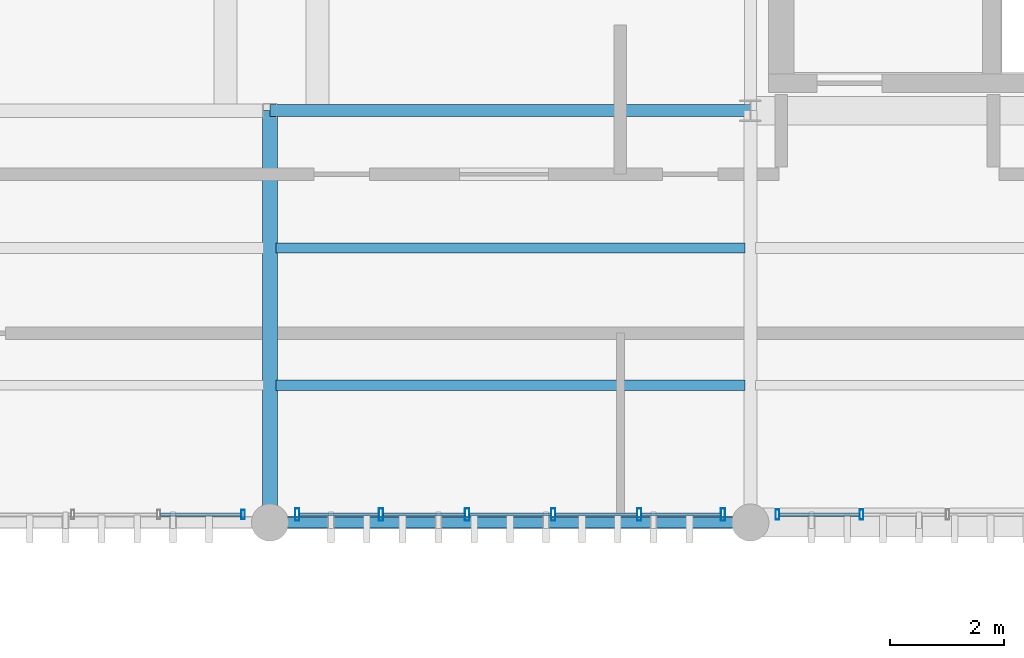
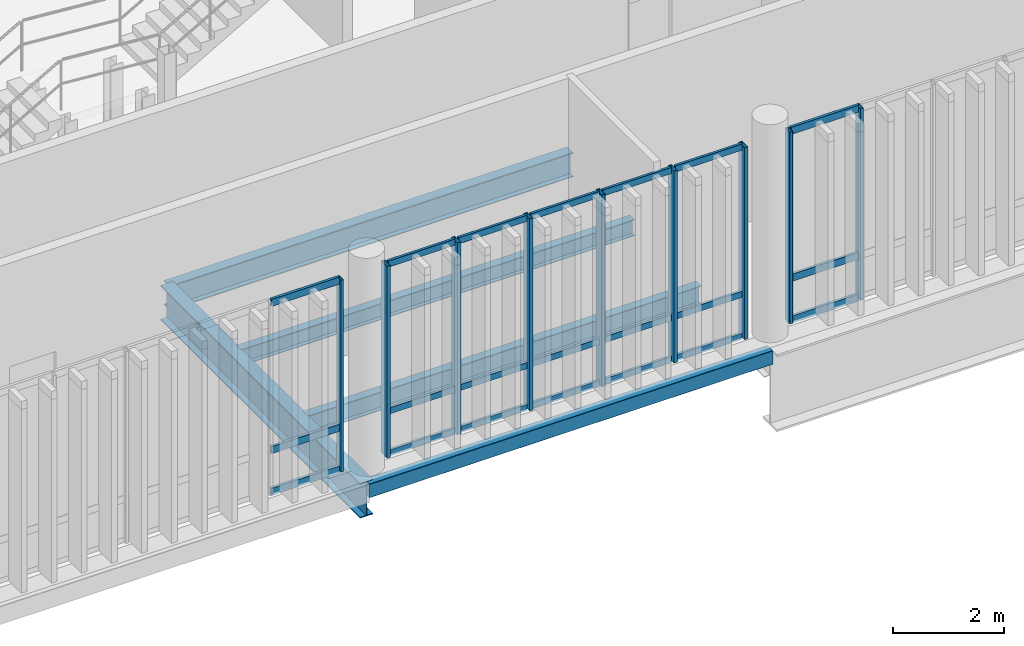
# One storey, part 29 of 86: 30 members, 5 beams, 3 elements without a shape of their own.
"""IFC4 building model written with IfcOpenShell, lengths in metres."""

from ifc_helpers import new_model, si_unit, direction, frame, origin_with_axes, origin_2d_with_axis, place, context, subcontext, project, spatial, hollow_rectangle, i_section, extrude, material, material_profile, profile_set, type_object, element, aggregate, save


model = new_model("IFC4")

# Units and contexts
model_context = context("Model", 3, precision=1e-05, world=origin_with_axes(), true_north=direction((0.0, 1.0)))
body_context = subcontext(model_context, "Body", "Model", "MODEL_VIEW")
ifc_project = project(units=[si_unit("LENGTHUNIT", "METRE"), si_unit("AREAUNIT", "SQUARE_METRE"), si_unit("VOLUMEUNIT", "CUBIC_METRE"), si_unit("PLANEANGLEUNIT", "RADIAN"), si_unit("MASSUNIT", "GRAM", prefix="KILO"), si_unit("THERMODYNAMICTEMPERATUREUNIT", "KELVIN")], contexts=[model_context])

# Site, building, storey
site_placement = place(None, origin_with_axes())
site = spatial("IfcSite", under=ifc_project, at=site_placement, CompositionType="ELEMENT")
building_placement = place(site_placement, origin_with_axes())
building = spatial("IfcBuilding", under=site, at=building_placement, Name="Montbau Bow Law Courts", CompositionType="ELEMENT")
storey_placement = place(building_placement, frame((0.0, 0.0, 29.7), z_axis=(0.0, 0.0, 1.0), x_axis=(1.0, 0.0, 0.0)))
storey = spatial("IfcBuildingStorey", under=building, at=storey_placement, Name="L06", CompositionType="ELEMENT", Elevation=29.7)

# Beams
ifc_material_1 = material(Name="Steel CSA G40.21 Grade 350W (350 MPa)", Category="steel")
ifc_material_profile_1 = material_profile(ifc_material_1, i_section(OverallWidth=0.267, OverallDepth=0.766, WebThickness=0.0149, FlangeThickness=0.0236, at=origin_2d_with_axis()), Name="W760X185", Category="Main", Priority=0)
ifc_profile_set_1 = profile_set([ifc_material_profile_1], Name="Steel CSA G40.21 Grade 350W (350 MPa)")
beam_type_1 = type_object("IfcBeamType", Name="B-FLR-03", PredefinedType="BEAM", material=ifc_profile_set_1)
beam_1_placement = place(None, frame((72.0, 39.0, 28.977), z_axis=(0.0, 1.0, 0.0), x_axis=(-1.0, 0.0, 0.0)))
element("IfcBeam", 1, at=beam_1_placement, inside=storey, type_object=beam_type_1, Name="BM-L06-S1009:bm2_1012", PredefinedType="BEAM", context=body_context, shape_type="SweptSolid", body=[
    extrude(i_section(OverallWidth=0.267, OverallDepth=0.766, WebThickness=0.0149, FlangeThickness=0.0236, at=origin_2d_with_axis()), origin_with_axes(), (0.0, 0.0, 1.0), 7.2),
])
ifc_material_profile_2 = material_profile(ifc_material_1, i_section(OverallWidth=0.21, OverallDepth=0.537, WebThickness=0.0109, FlangeThickness=0.0174, at=origin_2d_with_axis()), Name="W530X101", Category="Main", Priority=0)
ifc_profile_set_2 = profile_set([ifc_material_profile_2], Name="Steel CSA G40.21 Grade 350W (350 MPa)")
beam_type_2 = type_object("IfcBeamType", Name="B-FLR-06", PredefinedType="BEAM", material=ifc_profile_set_2)
beam_2_placement = place(None, frame((72.0, 46.2, 29.091), z_axis=(1.0, 0.0, 0.0), x_axis=(0.0, 1.0, 0.0)))
element("IfcBeam", 2, at=beam_2_placement, inside=storey, type_object=beam_type_2, Name="BM-L06-S1001:bm2_1004", PredefinedType="BEAM", context=body_context, shape_type="SweptSolid", body=[
    extrude(i_section(OverallWidth=0.21, OverallDepth=0.537, WebThickness=0.0109, FlangeThickness=0.0174, at=origin_2d_with_axis()), origin_with_axes(), (0.0, 0.0, 1.0), 8.4),
])
ifc_material_profile_3 = material_profile(ifc_material_1, i_section(OverallWidth=0.179, OverallDepth=0.41, WebThickness=0.0088, FlangeThickness=0.0144, at=origin_2d_with_axis()), Name="W410X67", Category="Main", Priority=0)
ifc_profile_set_3 = profile_set([ifc_material_profile_3], Name="Steel CSA G40.21 Grade 350W (350 MPa)")
beam_type_3 = type_object("IfcBeamType", Name="B-JST-02", PredefinedType="JOIST", material=ifc_profile_set_3)
beam_3_placement = place(None, frame((72.109, 41.4, 29.155), z_axis=(1.0, 0.0, 0.0), x_axis=(0.0, 1.0, 0.0)))
element("IfcBeam", 3, at=beam_3_placement, inside=storey, type_object=beam_type_3, Name="JST-L06-S0513:jst2_0513", PredefinedType="JOIST", context=body_context, shape_type="SweptSolid", body=[
    extrude(i_section(OverallWidth=0.179, OverallDepth=0.41, WebThickness=0.0088, FlangeThickness=0.0144, at=origin_2d_with_axis()), origin_with_axes(), (0.0, 0.0, 1.0), 8.2),
])
ifc_material_profile_4 = material_profile(ifc_material_1, i_section(OverallWidth=0.172, OverallDepth=0.358, WebThickness=0.0079, FlangeThickness=0.0131, at=origin_2d_with_axis()), Name="W360X57", Category="Main", Priority=0)
ifc_profile_set_4 = profile_set([ifc_material_profile_4], Name="Steel CSA G40.21 Grade 350W (350 MPa)")
beam_type_4 = type_object("IfcBeamType", Name="B-JST-03", PredefinedType="JOIST", material=ifc_profile_set_4)
beam_4_placement = place(None, frame((72.109, 43.8, 29.181), z_axis=(1.0, 0.0, 0.0), x_axis=(0.0, 1.0, 0.0)))
element("IfcBeam", 4, at=beam_4_placement, inside=storey, type_object=beam_type_4, Name="JST-L06-S0514:jst2_0514", PredefinedType="JOIST", context=body_context, shape_type="SweptSolid", body=[
    extrude(i_section(OverallWidth=0.172, OverallDepth=0.358, WebThickness=0.0079, FlangeThickness=0.0131, at=origin_2d_with_axis()), origin_with_axes(), (0.0, 0.0, 1.0), 8.2),
])
ifc_material_2 = material(Name="Steel CSA G40.21 Grade 350WT (350 MPa)", Category="steel")
ifc_material_profile_5 = material_profile(ifc_material_2, hollow_rectangle(XDim=0.203, YDim=0.305, WallThickness=0.0127, InnerFilletRadius=0.0254, OuterFilletRadius=0.0127, at=origin_2d_with_axis()), Name="HSS305X203X13", Category="Main", Priority=0)
ifc_profile_set_5 = profile_set([ifc_material_profile_5], Name="Steel CSA G40.21 Grade 350WT (350 MPa)")
beam_type_5 = type_object("IfcBeamType", Name="B-SPN-02", PredefinedType="SPANDREL", material=ifc_profile_set_5)
beam_5_placement = place(None, frame((72.0, 39.0, 29.207), z_axis=(1.0, 0.0, 0.0), x_axis=(0.0, 1.0, 0.0)))
element("IfcBeam", 5, at=beam_5_placement, inside=storey, type_object=beam_type_5, Name="SPN-L06-S0998:bm2_1001", PredefinedType="SPANDREL", context=body_context, shape_type="SweptSolid", body=[
    extrude(hollow_rectangle(XDim=0.203, YDim=0.305, WallThickness=0.0127, InnerFilletRadius=0.0254, OuterFilletRadius=0.0127, at=origin_2d_with_axis()), origin_with_axes(), (0.0, 0.0, 1.0), 8.4),
])

# Curtain wall, members
ifc_material_3 = material(Name="Thermally Broken Extruded Aluminium AA 6063-T6", Category="aluminium")
curtain_wall_type = type_object("IfcCurtainWallType", Name="CW-CRM-02", PredefinedType="NOTDEFINED", material=ifc_material_3)
curtain_wall_1_placement = place(None, frame((72.44, 39.14, 29.7), z_axis=(0.0, 0.0, 1.0), x_axis=(1.0, 0.0, 0.0)))
curtain_wall_1 = element("IfcCurtainWall", 6, at=curtain_wall_1_placement, inside=storey, type_object=curtain_wall_type, Name="CW-L06-225:cw_0225", PredefinedType="NOTDEFINED")
ifc_material_profile_6 = material_profile(ifc_material_3, hollow_rectangle(XDim=0.075, YDim=0.22, WallThickness=0.005, InnerFilletRadius=0.01, OuterFilletRadius=0.005, at=origin_2d_with_axis()), Name="CWM-220X75", Category="Main", Priority=0)
ifc_profile_set_6 = profile_set([ifc_material_profile_6], Name="Thermally Broken Extruded Aluminium AA 6063-T6")
member_type_1 = type_object("IfcMemberType", Name="M-MUL-01", PredefinedType="MULLION", material=ifc_profile_set_6)
member_1_placement = place(None, frame((72.477, 39.14, 29.7), z_axis=(0.0, 0.0, 1.0), x_axis=(1.0, 0.0, 0.0)))
member_1 = element("IfcMember", 7, at=member_1_placement, type_object=member_type_1, Name="CW-L06-225-M01:cw_0225_M01", PredefinedType="MULLION", context=body_context, shape_type="SweptSolid", body=[
    extrude(hollow_rectangle(XDim=0.075, YDim=0.22, WallThickness=0.005, InnerFilletRadius=0.01, OuterFilletRadius=0.005, at=origin_2d_with_axis()), origin_with_axes(), (0.0, 0.0, 1.0), 4.22),
])
member_2_placement = place(None, frame((73.944, 39.14, 29.7), z_axis=(0.0, 0.0, 1.0), x_axis=(1.0, 0.0, 0.0)))
member_2 = element("IfcMember", 8, at=member_2_placement, type_object=member_type_1, Name="CW-L06-225-M02:cw_0225_M02", PredefinedType="MULLION", context=body_context, shape_type="SweptSolid", body=[
    extrude(hollow_rectangle(XDim=0.075, YDim=0.22, WallThickness=0.005, InnerFilletRadius=0.01, OuterFilletRadius=0.005, at=origin_2d_with_axis()), origin_with_axes(), (0.0, 0.0, 1.0), 4.22),
])
member_3_placement = place(None, frame((75.448, 39.14, 29.7), z_axis=(0.0, 0.0, 1.0), x_axis=(1.0, 0.0, 0.0)))
member_3 = element("IfcMember", 9, at=member_3_placement, type_object=member_type_1, Name="CW-L06-225-M03:cw_0225_M03", PredefinedType="MULLION", context=body_context, shape_type="SweptSolid", body=[
    extrude(hollow_rectangle(XDim=0.075, YDim=0.22, WallThickness=0.005, InnerFilletRadius=0.01, OuterFilletRadius=0.005, at=origin_2d_with_axis()), origin_with_axes(), (0.0, 0.0, 1.0), 4.22),
])
member_4_placement = place(None, frame((76.952, 39.14, 29.7), z_axis=(0.0, 0.0, 1.0), x_axis=(1.0, 0.0, 0.0)))
member_4 = element("IfcMember", 10, at=member_4_placement, type_object=member_type_1, Name="CW-L06-225-M04:cw_0225_M04", PredefinedType="MULLION", context=body_context, shape_type="SweptSolid", body=[
    extrude(hollow_rectangle(XDim=0.075, YDim=0.22, WallThickness=0.005, InnerFilletRadius=0.01, OuterFilletRadius=0.005, at=origin_2d_with_axis()), origin_with_axes(), (0.0, 0.0, 1.0), 4.22),
])
member_5_placement = place(None, frame((78.456, 39.14, 29.7), z_axis=(0.0, 0.0, 1.0), x_axis=(1.0, 0.0, 0.0)))
member_5 = element("IfcMember", 11, at=member_5_placement, type_object=member_type_1, Name="CW-L06-225-M05:cw_0225_M05", PredefinedType="MULLION", context=body_context, shape_type="SweptSolid", body=[
    extrude(hollow_rectangle(XDim=0.075, YDim=0.22, WallThickness=0.005, InnerFilletRadius=0.01, OuterFilletRadius=0.005, at=origin_2d_with_axis()), origin_with_axes(), (0.0, 0.0, 1.0), 4.22),
])
member_6_placement = place(None, frame((79.922, 39.14, 29.7), z_axis=(0.0, 0.0, 1.0), x_axis=(1.0, 0.0, 0.0)))
member_6 = element("IfcMember", 12, at=member_6_placement, type_object=member_type_1, Name="CW-L06-225-M06:cw_0225_M06", PredefinedType="MULLION", context=body_context, shape_type="SweptSolid", body=[
    extrude(hollow_rectangle(XDim=0.075, YDim=0.22, WallThickness=0.005, InnerFilletRadius=0.01, OuterFilletRadius=0.005, at=origin_2d_with_axis()), origin_with_axes(), (0.0, 0.0, 1.0), 4.22),
])

curtain_wall_2_placement = place(None, frame((80.84, 39.14, 29.7), z_axis=(0.0, 0.0, 1.0), x_axis=(1.0, 0.0, 0.0)))
curtain_wall_2 = element("IfcCurtainWall", 13, at=curtain_wall_2_placement, inside=storey, type_object=curtain_wall_type, Name="CW-L06-226:cw_0226", PredefinedType="NOTDEFINED")
ifc_material_profile_7 = material_profile(ifc_material_3, hollow_rectangle(XDim=0.065, YDim=0.18, WallThickness=0.005, InnerFilletRadius=0.01, OuterFilletRadius=0.005, at=origin_2d_with_axis()), Name="CWM-180X65", Category="Main", Priority=0)
ifc_profile_set_7 = profile_set([ifc_material_profile_7], Name="Thermally Broken Extruded Aluminium AA 6063-T6")
member_type_2 = type_object("IfcMemberType", Name="M-MUL-02", PredefinedType="MULLION", material=ifc_profile_set_7)
member_7_placement = place(None, frame((80.873, 39.14, 29.7), z_axis=(0.0, 0.0, 1.0), x_axis=(1.0, 0.0, 0.0)))
member_7 = element("IfcMember", 14, at=member_7_placement, type_object=member_type_2, Name="CW-L06-226-M01:cw_0226_M01", PredefinedType="MULLION", context=body_context, shape_type="SweptSolid", body=[
    extrude(hollow_rectangle(XDim=0.065, YDim=0.18, WallThickness=0.005, InnerFilletRadius=0.01, OuterFilletRadius=0.005, at=origin_2d_with_axis()), origin_with_axes(), (0.0, 0.0, 1.0), 4.22),
])
member_8_placement = place(None, frame((82.344, 39.14, 29.7), z_axis=(0.0, 0.0, 1.0), x_axis=(1.0, 0.0, 0.0)))
member_8 = element("IfcMember", 15, at=member_8_placement, type_object=member_type_2, Name="CW-L06-226-M02:cw_0226_M02", PredefinedType="MULLION", context=body_context, shape_type="SweptSolid", body=[
    extrude(hollow_rectangle(XDim=0.065, YDim=0.18, WallThickness=0.005, InnerFilletRadius=0.01, OuterFilletRadius=0.005, at=origin_2d_with_axis()), origin_with_axes(), (0.0, 0.0, 1.0), 4.22),
])

curtain_wall_3_placement = place(None, frame((64.04, 39.14, 29.7), z_axis=(0.0, 0.0, 1.0), x_axis=(1.0, 0.0, 0.0)))
curtain_wall_3 = element("IfcCurtainWall", 16, at=curtain_wall_3_placement, inside=storey, type_object=curtain_wall_type, Name="CW-L06-224:cw_0224", PredefinedType="NOTDEFINED")
ifc_material_profile_8 = material_profile(ifc_material_3, hollow_rectangle(XDim=0.06, YDim=0.16, WallThickness=0.004, InnerFilletRadius=0.008, OuterFilletRadius=0.004, at=origin_2d_with_axis()), Name="CWM-160X60", Category="Main", Priority=0)
ifc_profile_set_8 = profile_set([ifc_material_profile_8], Name="Thermally Broken Extruded Aluminium AA 6063-T6")
member_type_3 = type_object("IfcMemberType", Name="M-MUL-03", PredefinedType="MULLION", material=ifc_profile_set_8)
member_9_placement = place(None, frame((71.53, 39.14, 29.7), z_axis=(0.0, 0.0, 1.0), x_axis=(1.0, 0.0, 0.0)))
member_9 = element("IfcMember", 17, at=member_9_placement, type_object=member_type_3, Name="CW-L06-224-M06:cw_0224_M06", PredefinedType="MULLION", context=body_context, shape_type="SweptSolid", body=[
    extrude(hollow_rectangle(XDim=0.06, YDim=0.16, WallThickness=0.004, InnerFilletRadius=0.008, OuterFilletRadius=0.004, at=origin_2d_with_axis()), origin_with_axes(), (0.0, 0.0, 1.0), 4.22),
])
ifc_material_profile_9 = material_profile(ifc_material_3, hollow_rectangle(XDim=0.06, YDim=0.16, WallThickness=0.004, InnerFilletRadius=0.008, OuterFilletRadius=0.004, at=origin_2d_with_axis()), Name="CWT-160X60", Category="Main", Priority=0)
ifc_profile_set_9 = profile_set([ifc_material_profile_9], Name="Thermally Broken Extruded Aluminium AA 6063-T6")
member_type_4 = type_object("IfcMemberType", Name="M-TRN-01", PredefinedType="USERDEFINED", material=ifc_profile_set_9)
member_10_placement = place(None, frame((70.088, 39.14, 29.73), z_axis=(1.0, 0.0, 0.0), x_axis=(0.0, 1.0, 0.0)))
member_10 = element("IfcMember", 18, at=member_10_placement, type_object=member_type_4, Name="CW-L06-224-T05-1:cw_0224_T05_1", ObjectType="TRANSOM", PredefinedType="USERDEFINED", context=body_context, shape_type="SweptSolid", body=[
    extrude(hollow_rectangle(XDim=0.06, YDim=0.16, WallThickness=0.004, InnerFilletRadius=0.008, OuterFilletRadius=0.004, at=origin_2d_with_axis()), origin_with_axes(), (0.0, 0.0, 1.0), 1.41),
])
member_11_placement = place(None, frame((70.088, 39.14, 30.65), z_axis=(1.0, 0.0, 0.0), x_axis=(0.0, 1.0, 0.0)))
member_11 = element("IfcMember", 19, at=member_11_placement, type_object=member_type_4, Name="CW-L06-224-T05-2:cw_0224_T05_2", ObjectType="TRANSOM", PredefinedType="USERDEFINED", context=body_context, shape_type="SweptSolid", body=[
    extrude(hollow_rectangle(XDim=0.06, YDim=0.16, WallThickness=0.004, InnerFilletRadius=0.008, OuterFilletRadius=0.004, at=origin_2d_with_axis()), origin_with_axes(), (0.0, 0.0, 1.0), 1.41),
])
member_12_placement = place(None, frame((70.088, 39.14, 33.89), z_axis=(1.0, 0.0, 0.0), x_axis=(0.0, 1.0, 0.0)))
member_12 = element("IfcMember", 20, at=member_12_placement, type_object=member_type_4, Name="CW-L06-224-T05-3:cw_0224_T05_3", ObjectType="TRANSOM", PredefinedType="USERDEFINED", context=body_context, shape_type="SweptSolid", body=[
    extrude(hollow_rectangle(XDim=0.06, YDim=0.16, WallThickness=0.004, InnerFilletRadius=0.008, OuterFilletRadius=0.004, at=origin_2d_with_axis()), origin_with_axes(), (0.0, 0.0, 1.0), 1.41),
])
aggregate(curtain_wall_3, [member_9, member_10, member_11, member_12])

# Member
member_13_placement = place(None, frame((80.908, 39.14, 29.73), z_axis=(1.0, 0.0, 0.0), x_axis=(0.0, 1.0, 0.0)))
member_13 = element("IfcMember", 21, at=member_13_placement, type_object=member_type_4, Name="CW-L06-226-T01-1:cw_0226_T01_1", ObjectType="TRANSOM", PredefinedType="USERDEFINED", context=body_context, shape_type="SweptSolid", body=[
    extrude(hollow_rectangle(XDim=0.06, YDim=0.16, WallThickness=0.004, InnerFilletRadius=0.008, OuterFilletRadius=0.004, at=origin_2d_with_axis()), origin_with_axes(), (0.0, 0.0, 1.0), 1.402),
])

member_14_placement = place(None, frame((80.908, 39.14, 30.65), z_axis=(1.0, 0.0, 0.0), x_axis=(0.0, 1.0, 0.0)))
member_14 = element("IfcMember", 22, at=member_14_placement, type_object=member_type_4, Name="CW-L06-226-T01-2:cw_0226_T01_2", ObjectType="TRANSOM", PredefinedType="USERDEFINED", context=body_context, shape_type="SweptSolid", body=[
    extrude(hollow_rectangle(XDim=0.06, YDim=0.16, WallThickness=0.004, InnerFilletRadius=0.008, OuterFilletRadius=0.004, at=origin_2d_with_axis()), origin_with_axes(), (0.0, 0.0, 1.0), 1.402),
])

member_15_placement = place(None, frame((80.908, 39.14, 33.89), z_axis=(1.0, 0.0, 0.0), x_axis=(0.0, 1.0, 0.0)))
member_15 = element("IfcMember", 23, at=member_15_placement, type_object=member_type_4, Name="CW-L06-226-T01-3:cw_0226_T01_3", ObjectType="TRANSOM", PredefinedType="USERDEFINED", context=body_context, shape_type="SweptSolid", body=[
    extrude(hollow_rectangle(XDim=0.06, YDim=0.16, WallThickness=0.004, InnerFilletRadius=0.008, OuterFilletRadius=0.004, at=origin_2d_with_axis()), origin_with_axes(), (0.0, 0.0, 1.0), 1.402),
])

aggregate(curtain_wall_2, [member_7, member_8, member_13, member_14, member_15])

ifc_material_profile_10 = material_profile(ifc_material_3, hollow_rectangle(XDim=0.055, YDim=0.14, WallThickness=0.004, InnerFilletRadius=0.008, OuterFilletRadius=0.004, at=origin_2d_with_axis()), Name="CWT-140X55", Category="Main", Priority=0)
ifc_profile_set_10 = profile_set([ifc_material_profile_10], Name="Thermally Broken Extruded Aluminium AA 6063-T6")
member_type_5 = type_object("IfcMemberType", Name="M-TRN-02", PredefinedType="USERDEFINED", material=ifc_profile_set_10)
member_16_placement = place(None, frame((72.516, 39.14, 29.727), z_axis=(1.0, 0.0, 0.0), x_axis=(0.0, 1.0, 0.0)))
member_16 = element("IfcMember", 24, at=member_16_placement, type_object=member_type_5, Name="CW-L06-225-T01-1:cw_0225_T01_1", ObjectType="TRANSOM", PredefinedType="USERDEFINED", context=body_context, shape_type="SweptSolid", body=[
    extrude(hollow_rectangle(XDim=0.055, YDim=0.14, WallThickness=0.004, InnerFilletRadius=0.008, OuterFilletRadius=0.004, at=origin_2d_with_axis()), origin_with_axes(), (0.0, 0.0, 1.0), 1.388),
])

member_17_placement = place(None, frame((72.516, 39.14, 30.65), z_axis=(1.0, 0.0, 0.0), x_axis=(0.0, 1.0, 0.0)))
member_17 = element("IfcMember", 25, at=member_17_placement, type_object=member_type_5, Name="CW-L06-225-T01-2:cw_0225_T01_2", ObjectType="TRANSOM", PredefinedType="USERDEFINED", context=body_context, shape_type="SweptSolid", body=[
    extrude(hollow_rectangle(XDim=0.055, YDim=0.14, WallThickness=0.004, InnerFilletRadius=0.008, OuterFilletRadius=0.004, at=origin_2d_with_axis()), origin_with_axes(), (0.0, 0.0, 1.0), 1.388),
])

member_18_placement = place(None, frame((72.516, 39.14, 33.892), z_axis=(1.0, 0.0, 0.0), x_axis=(0.0, 1.0, 0.0)))
member_18 = element("IfcMember", 26, at=member_18_placement, type_object=member_type_5, Name="CW-L06-225-T01-3:cw_0225_T01_3", ObjectType="TRANSOM", PredefinedType="USERDEFINED", context=body_context, shape_type="SweptSolid", body=[
    extrude(hollow_rectangle(XDim=0.055, YDim=0.14, WallThickness=0.004, InnerFilletRadius=0.008, OuterFilletRadius=0.004, at=origin_2d_with_axis()), origin_with_axes(), (0.0, 0.0, 1.0), 1.388),
])

member_19_placement = place(None, frame((73.984, 39.14, 29.727), z_axis=(1.0, 0.0, 0.0), x_axis=(0.0, 1.0, 0.0)))
member_19 = element("IfcMember", 27, at=member_19_placement, type_object=member_type_5, Name="CW-L06-225-T02-1:cw_0225_T02_1", ObjectType="TRANSOM", PredefinedType="USERDEFINED", context=body_context, shape_type="SweptSolid", body=[
    extrude(hollow_rectangle(XDim=0.055, YDim=0.14, WallThickness=0.004, InnerFilletRadius=0.008, OuterFilletRadius=0.004, at=origin_2d_with_axis()), origin_with_axes(), (0.0, 0.0, 1.0), 1.425),
])

member_20_placement = place(None, frame((73.984, 39.14, 30.65), z_axis=(1.0, 0.0, 0.0), x_axis=(0.0, 1.0, 0.0)))
member_20 = element("IfcMember", 28, at=member_20_placement, type_object=member_type_5, Name="CW-L06-225-T02-2:cw_0225_T02_2", ObjectType="TRANSOM", PredefinedType="USERDEFINED", context=body_context, shape_type="SweptSolid", body=[
    extrude(hollow_rectangle(XDim=0.055, YDim=0.14, WallThickness=0.004, InnerFilletRadius=0.008, OuterFilletRadius=0.004, at=origin_2d_with_axis()), origin_with_axes(), (0.0, 0.0, 1.0), 1.425),
])

member_21_placement = place(None, frame((73.984, 39.14, 33.892), z_axis=(1.0, 0.0, 0.0), x_axis=(0.0, 1.0, 0.0)))
member_21 = element("IfcMember", 29, at=member_21_placement, type_object=member_type_5, Name="CW-L06-225-T02-3:cw_0225_T02_3", ObjectType="TRANSOM", PredefinedType="USERDEFINED", context=body_context, shape_type="SweptSolid", body=[
    extrude(hollow_rectangle(XDim=0.055, YDim=0.14, WallThickness=0.004, InnerFilletRadius=0.008, OuterFilletRadius=0.004, at=origin_2d_with_axis()), origin_with_axes(), (0.0, 0.0, 1.0), 1.425),
])

member_22_placement = place(None, frame((75.487, 39.14, 29.727), z_axis=(1.0, 0.0, 0.0), x_axis=(0.0, 1.0, 0.0)))
member_22 = element("IfcMember", 30, at=member_22_placement, type_object=member_type_5, Name="CW-L06-225-T03-1:cw_0225_T03_1", ObjectType="TRANSOM", PredefinedType="USERDEFINED", context=body_context, shape_type="SweptSolid", body=[
    extrude(hollow_rectangle(XDim=0.055, YDim=0.14, WallThickness=0.004, InnerFilletRadius=0.008, OuterFilletRadius=0.004, at=origin_2d_with_axis()), origin_with_axes(), (0.0, 0.0, 1.0), 1.426),
])

member_23_placement = place(None, frame((75.487, 39.14, 30.65), z_axis=(1.0, 0.0, 0.0), x_axis=(0.0, 1.0, 0.0)))
member_23 = element("IfcMember", 31, at=member_23_placement, type_object=member_type_5, Name="CW-L06-225-T03-2:cw_0225_T03_2", ObjectType="TRANSOM", PredefinedType="USERDEFINED", context=body_context, shape_type="SweptSolid", body=[
    extrude(hollow_rectangle(XDim=0.055, YDim=0.14, WallThickness=0.004, InnerFilletRadius=0.008, OuterFilletRadius=0.004, at=origin_2d_with_axis()), origin_with_axes(), (0.0, 0.0, 1.0), 1.426),
])

member_24_placement = place(None, frame((75.487, 39.14, 33.892), z_axis=(1.0, 0.0, 0.0), x_axis=(0.0, 1.0, 0.0)))
member_24 = element("IfcMember", 32, at=member_24_placement, type_object=member_type_5, Name="CW-L06-225-T03-3:cw_0225_T03_3", ObjectType="TRANSOM", PredefinedType="USERDEFINED", context=body_context, shape_type="SweptSolid", body=[
    extrude(hollow_rectangle(XDim=0.055, YDim=0.14, WallThickness=0.004, InnerFilletRadius=0.008, OuterFilletRadius=0.004, at=origin_2d_with_axis()), origin_with_axes(), (0.0, 0.0, 1.0), 1.426),
])

member_25_placement = place(None, frame((76.991, 39.14, 29.727), z_axis=(1.0, 0.0, 0.0), x_axis=(0.0, 1.0, 0.0)))
member_25 = element("IfcMember", 33, at=member_25_placement, type_object=member_type_5, Name="CW-L06-225-T04-1:cw_0225_T04_1", ObjectType="TRANSOM", PredefinedType="USERDEFINED", context=body_context, shape_type="SweptSolid", body=[
    extrude(hollow_rectangle(XDim=0.055, YDim=0.14, WallThickness=0.004, InnerFilletRadius=0.008, OuterFilletRadius=0.004, at=origin_2d_with_axis()), origin_with_axes(), (0.0, 0.0, 1.0), 1.426),
])

member_26_placement = place(None, frame((76.991, 39.14, 30.65), z_axis=(1.0, 0.0, 0.0), x_axis=(0.0, 1.0, 0.0)))
member_26 = element("IfcMember", 34, at=member_26_placement, type_object=member_type_5, Name="CW-L06-225-T04-2:cw_0225_T04_2", ObjectType="TRANSOM", PredefinedType="USERDEFINED", context=body_context, shape_type="SweptSolid", body=[
    extrude(hollow_rectangle(XDim=0.055, YDim=0.14, WallThickness=0.004, InnerFilletRadius=0.008, OuterFilletRadius=0.004, at=origin_2d_with_axis()), origin_with_axes(), (0.0, 0.0, 1.0), 1.426),
])

member_27_placement = place(None, frame((76.991, 39.14, 33.892), z_axis=(1.0, 0.0, 0.0), x_axis=(0.0, 1.0, 0.0)))
member_27 = element("IfcMember", 35, at=member_27_placement, type_object=member_type_5, Name="CW-L06-225-T04-3:cw_0225_T04_3", ObjectType="TRANSOM", PredefinedType="USERDEFINED", context=body_context, shape_type="SweptSolid", body=[
    extrude(hollow_rectangle(XDim=0.055, YDim=0.14, WallThickness=0.004, InnerFilletRadius=0.008, OuterFilletRadius=0.004, at=origin_2d_with_axis()), origin_with_axes(), (0.0, 0.0, 1.0), 1.426),
])

member_28_placement = place(None, frame((78.495, 39.14, 29.727), z_axis=(1.0, 0.0, 0.0), x_axis=(0.0, 1.0, 0.0)))
member_28 = element("IfcMember", 36, at=member_28_placement, type_object=member_type_5, Name="CW-L06-225-T05-1:cw_0225_T05_1", ObjectType="TRANSOM", PredefinedType="USERDEFINED", context=body_context, shape_type="SweptSolid", body=[
    extrude(hollow_rectangle(XDim=0.055, YDim=0.14, WallThickness=0.004, InnerFilletRadius=0.008, OuterFilletRadius=0.004, at=origin_2d_with_axis()), origin_with_axes(), (0.0, 0.0, 1.0), 1.388),
])

member_29_placement = place(None, frame((78.495, 39.14, 30.65), z_axis=(1.0, 0.0, 0.0), x_axis=(0.0, 1.0, 0.0)))
member_29 = element("IfcMember", 37, at=member_29_placement, type_object=member_type_5, Name="CW-L06-225-T05-2:cw_0225_T05_2", ObjectType="TRANSOM", PredefinedType="USERDEFINED", context=body_context, shape_type="SweptSolid", body=[
    extrude(hollow_rectangle(XDim=0.055, YDim=0.14, WallThickness=0.004, InnerFilletRadius=0.008, OuterFilletRadius=0.004, at=origin_2d_with_axis()), origin_with_axes(), (0.0, 0.0, 1.0), 1.388),
])

member_30_placement = place(None, frame((78.495, 39.14, 33.892), z_axis=(1.0, 0.0, 0.0), x_axis=(0.0, 1.0, 0.0)))
member_30 = element("IfcMember", 38, at=member_30_placement, type_object=member_type_5, Name="CW-L06-225-T05-3:cw_0225_T05_3", ObjectType="TRANSOM", PredefinedType="USERDEFINED", context=body_context, shape_type="SweptSolid", body=[
    extrude(hollow_rectangle(XDim=0.055, YDim=0.14, WallThickness=0.004, InnerFilletRadius=0.008, OuterFilletRadius=0.004, at=origin_2d_with_axis()), origin_with_axes(), (0.0, 0.0, 1.0), 1.388),
])

aggregate(curtain_wall_1, [member_1, member_2, member_3, member_4, member_5, member_6, member_16, member_17, member_18, member_19, member_20, member_21, member_22, member_23, member_24, member_25, member_26, member_27, member_28, member_29, member_30])

save(model, "model.ifc")
